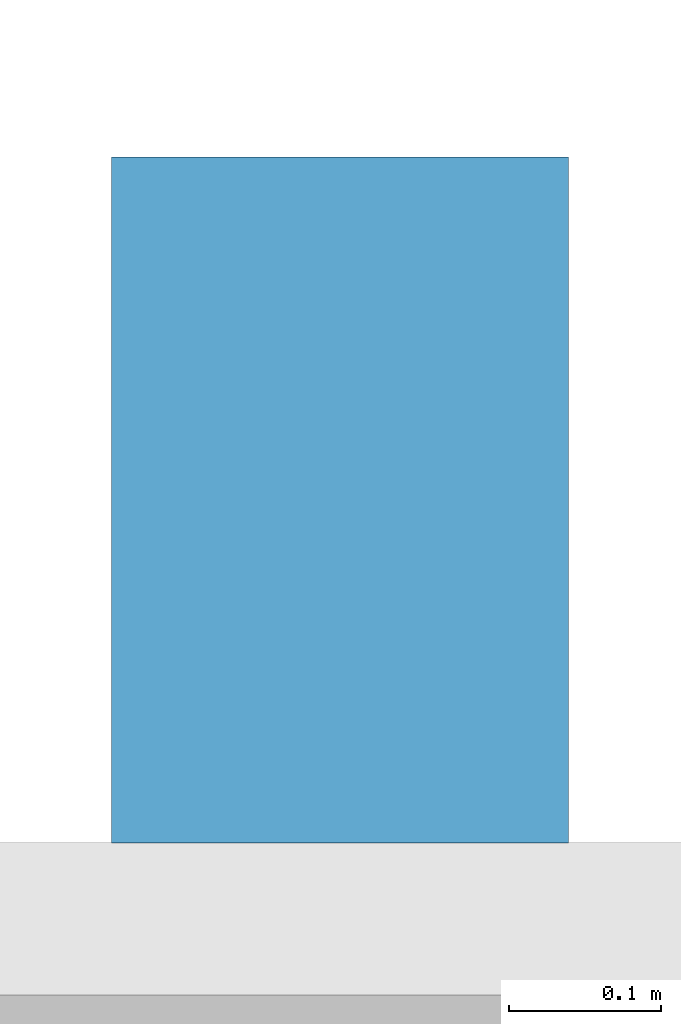
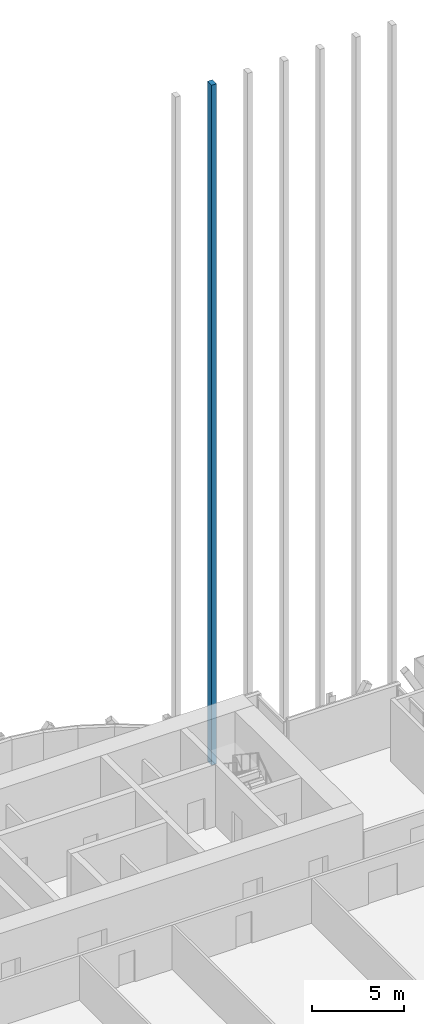
# One storey, part 21 of 33: 1 member, 1 element without a shape of its own.
"""IFC4 building model written with IfcOpenShell, lengths in metres."""

from ifc_helpers import new_model, si_unit, direction, frame, origin, origin_2d, place, context, subcontext, project, spatial, rectangle, extrude, material, material_profile, profile_set, type_object, element, aggregate, save


model = new_model("IFC4")

# Units and contexts
model_context = context("Model", 3, precision=1e-05, world=origin(), true_north=direction((0.0, 1.0)))
body_context = subcontext(model_context, "Body", "Model", "MODEL_VIEW")
ifc_project = project(units=[si_unit("LENGTHUNIT", "METRE"), si_unit("AREAUNIT", "SQUARE_METRE"), si_unit("VOLUMEUNIT", "CUBIC_METRE"), si_unit("PLANEANGLEUNIT", "RADIAN"), si_unit("MASSUNIT", "GRAM", prefix="KILO")], contexts=[model_context])

# Site, building, storey
site_placement = place(None, origin())
site = spatial("IfcSite", under=ifc_project, at=site_placement, CompositionType="ELEMENT")
building_placement = place(site_placement, origin())
building = spatial("IfcBuilding", under=site, at=building_placement, Name="Bicima Exchange Tower", CompositionType="ELEMENT")
storey_placement = place(building_placement, frame((0.0, 0.0, 140.39990234375)))
storey = spatial("IfcBuildingStorey", under=building, at=storey_placement, Name="L30", CompositionType="ELEMENT", Elevation=140.39990234375)

# Curtain wall, member
ifc_material = material(Name="Anodised bronze aluminium", Category="aluminium")
curtain_wall_type = type_object("IfcCurtainWallType", Name="Rear blade screen", PredefinedType="NOTDEFINED", material=ifc_material)
curtain_wall_placement = place(storey_placement, origin())
curtain_wall = element("IfcCurtainWall", 1, at=curtain_wall_placement, inside=storey, type_object=curtain_wall_type, Name="Rear blade screen L30-L40 E", PredefinedType="NOTDEFINED")
ifc_material_profile = material_profile(ifc_material, rectangle(XDim=0.449951171875, YDim=0.300048828125, at=origin_2d()))
ifc_profile_set = profile_set([ifc_material_profile], Name="Anodised bronze aluminium")
member_type = type_object("IfcMemberType", Name="Rear blade fin 450 x 300", PredefinedType="USERDEFINED", material=ifc_profile_set)
member_placement = place(storey_placement, frame((20.25, 0.324951171875, 0.0), z_axis=(0.0, 0.0, 1.0), x_axis=(0.0, 1.0, 0.0)))
member = element("IfcMember", 2, at=member_placement, type_object=member_type, Name="Rear blade fin L30-L40 14", ObjectType="FIN", PredefinedType="USERDEFINED", context=body_context, shape_type="SweptSolid", body=[
    extrude(rectangle(XDim=0.449951171875, YDim=0.300048828125, at=origin_2d()), origin(), (0.0, 0.0, 1.0), 44.900146484375),
])
aggregate(curtain_wall, [member])

save(model, "model.ifc")
